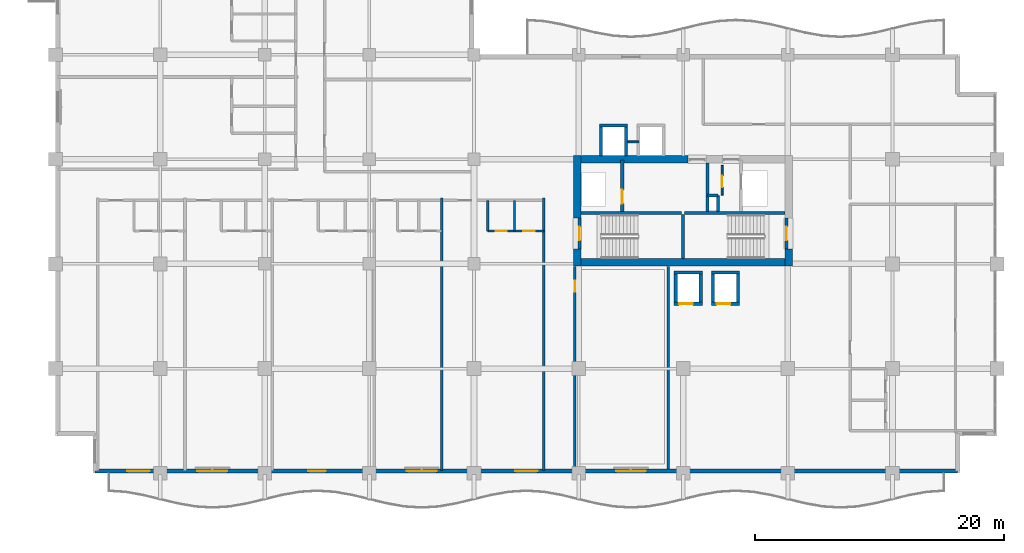
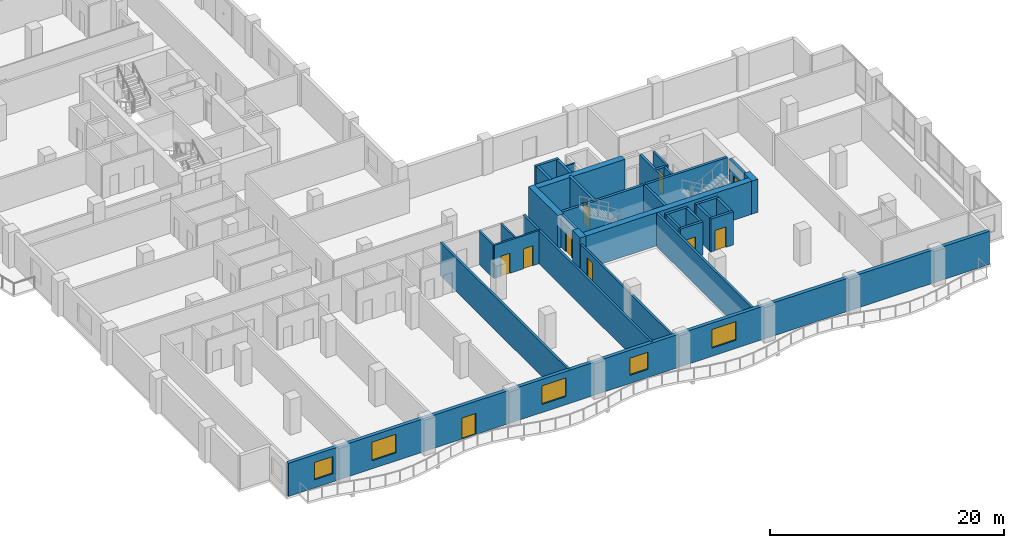
# One storey, part 10 of 21: 35 walls, 10 doors, 5 windows, 15 openings.
"""IFC4 building model written with IfcOpenShell, lengths in metres."""

from ifc_helpers import new_model, si_unit, direction, frame, frame_2d, origin, place, context, subcontext, project, spatial, rectangle, extrude, material, layer, layer_set, type_object, element, fill, save


model = new_model("IFC4")

# Units and contexts
model_context = context("Model", 3, precision=1e-05, world=origin(), true_north=direction((0.0, 1.0)))
body_context = subcontext(model_context, "Body", "Model", "MODEL_VIEW")
ifc_project = project(units=[si_unit("LENGTHUNIT", "METRE"), si_unit("AREAUNIT", "SQUARE_METRE"), si_unit("VOLUMEUNIT", "CUBIC_METRE"), si_unit("PLANEANGLEUNIT", "RADIAN"), si_unit("MASSUNIT", "GRAM", prefix="KILO")], contexts=[model_context])

# Site, building, storey
site_placement = place(None, origin())
site = spatial("IfcSite", under=ifc_project, at=site_placement, CompositionType="ELEMENT")
building_placement = place(site_placement, origin())
building = spatial("IfcBuilding", under=site, at=building_placement, Name="Koriwani Terraces Tower", CompositionType="ELEMENT")
storey_placement = place(building_placement, frame((0.0, 0.0, 197.60009765625)))
storey = spatial("IfcBuildingStorey", under=building, at=storey_placement, Name="L48", CompositionType="ELEMENT", Elevation=197.60009765625)

# Walls
ifc_material_1 = material(Name="Concrete C60/75", Category="concrete")
ifc_layer_1 = layer(ifc_material_1, 0.60009765625, Name="Concrete C60/75")
ifc_layer_set_1 = layer_set([ifc_layer_1], Name="Concrete C60/75")
wall_type_1 = type_object("IfcWallType", Name="WALL_CORE_RC_600", PredefinedType="SHEAR", material=ifc_layer_set_1)
wall_1_placement = place(storey_placement, frame((41.89990234375, 16.64990234375, 0.0), z_axis=(0.0, 0.0, 1.0), x_axis=(0.0, 1.0, 0.0)))
element("IfcWall", 1, at=wall_1_placement, inside=storey, type_object=wall_type_1, Name="L48 East Split Core Shear Wall W1", PredefinedType="SHEAR", context=body_context, shape_type="SweptSolid", body=[
    extrude(rectangle(XDim=1.35009765625, YDim=0.60009765625, at=frame_2d((0.675048828125, 0.0))), origin(), (0.0, 0.0, 1.0), 3.469970703125),
])
wall_2_placement = place(storey_placement, frame((41.89990234375, 20.5, 0.0), z_axis=(0.0, 0.0, 1.0), x_axis=(0.0, 1.0, 0.0)))
element("IfcWall", 2, at=wall_2_placement, inside=storey, type_object=wall_type_1, Name="L48 East Split Core Shear Wall W2", PredefinedType="SHEAR", context=body_context, shape_type="SweptSolid", body=[
    extrude(rectangle(XDim=5.0, YDim=0.60009765625, at=frame_2d((2.5, 0.0))), origin(), (0.0, 0.0, 1.0), 3.469970703125),
])
wall_3_placement = place(storey_placement, frame((58.85009765625, 16.64990234375, 0.0), z_axis=(0.0, 0.0, 1.0), x_axis=(0.0, 1.0, 0.0)))
element("IfcWall", 3, at=wall_3_placement, inside=storey, type_object=wall_type_1, Name="L48 East Split Core Shear Wall E1", PredefinedType="SHEAR", context=body_context, shape_type="SweptSolid", body=[
    extrude(rectangle(XDim=1.35009765625, YDim=0.60009765625, at=frame_2d((0.675048828125, 0.0))), origin(), (0.0, 0.0, 1.0), 3.469970703125),
])
wall_4_placement = place(storey_placement, frame((42.199951171875, 16.949951171875, 0.0), z_axis=(0.0, 0.0, 1.0), x_axis=(1.0, 0.0, 0.0)))
element("IfcWall", 4, at=wall_4_placement, inside=storey, type_object=wall_type_1, Name="L48 East Split Core Shear Wall S1", PredefinedType="SHEAR", context=body_context, shape_type="SweptSolid", body=[
    extrude(rectangle(XDim=16.35009765625, YDim=0.60009765625, at=frame_2d((8.175048828125, 0.0))), origin(), (0.0, 0.0, 1.0), 3.469970703125),
])
wall_5_placement = place(storey_placement, frame((42.199951171875, 25.199951171875, 0.0), z_axis=(0.0, 0.0, 1.0), x_axis=(1.0, 0.0, 0.0)))
element("IfcWall", 5, at=wall_5_placement, inside=storey, type_object=wall_type_1, Name="L48 East Split Core Shear Wall N1", PredefinedType="SHEAR", context=body_context, shape_type="SweptSolid", body=[
    extrude(rectangle(XDim=8.60009765625, YDim=0.60009765625, at=frame_2d((4.300048828125, 0.0))), origin(), (0.0, 0.0, 1.0), 3.469970703125),
])

# Wall, opening, door
ifc_material_2 = material(Name="Autoclaved Cellular Concrete Blockwork", Category="masonry")
ifc_layer_2 = layer(ifc_material_2, 0.199951171875, Name="Autoclaved Cellular Concrete Blockwork")
ifc_layer_set_2 = layer_set([ifc_layer_2], Name="Autoclaved Cellular Concrete Blockwork")
wall_type_2 = type_object("IfcWallType", Name="WALL_CORRIDOR_200", PredefinedType="PARTITIONING", material=ifc_layer_set_2)
wall_6_placement = place(storey_placement, frame((41.699951171875, 0.35009765625, 0.0), z_axis=(0.0, 0.0, 1.0), x_axis=(0.0, 1.0, 0.0)))
wall_6 = element("IfcWall", 6, at=wall_6_placement, inside=storey, type_object=wall_type_2, Name="L48 Interior Wall WREC-EW-L48", PredefinedType="PARTITIONING", context=body_context, shape_type="SweptSolid", body=[
    extrude(rectangle(XDim=16.25, YDim=0.199951171875, at=frame_2d((8.125, 0.0))), origin(), (0.0, 0.0, 1.0), 2.81982421875),
])
opening_1_placement = place(wall_6_placement, frame((14.199951171875, 0.0, 0.0)))
opening_1 = element("IfcOpeningElement", 7, at=opening_1_placement, cuts=wall_6, Name="Opening D-06", PredefinedType="OPENING", context=body_context, shape_type="SweptSolid", body=[
    extrude(rectangle(XDim=0.919921875, YDim=2.10009765625, at=frame_2d((0.4599609375, 1.050048828125))), frame((0.0, 0.10986328125, 0.0), z_axis=(0.0, -1.0, 0.0), x_axis=(1.0, 0.0, 0.0)), (0.0, 0.0, 1.0), 0.219970703125),
])
ifc_material_3 = material(Name="Architectural Oak Fire Door", Category="wood")
door_type_1 = type_object("IfcDoorType", Name="DOOR_ROOM_INT_920X2100", OperationType="NOTDEFINED", PredefinedType="DOOR", material=ifc_material_3)
door_1_placement = place(opening_1_placement, origin())
door_1 = element("IfcDoor", 8, at=door_1_placement, inside=storey, type_object=door_type_1, Name="L48 Resident Co-Working Study Door", OperationType="SINGLE_SWING_LEFT", OverallHeight=2.10009765625, OverallWidth=0.919921875, PredefinedType="DOOR", context=body_context, shape_type="SweptSolid", body=[
    extrude(rectangle(XDim=0.919921875, YDim=2.10009765625, at=frame_2d((0.4599609375, 1.050048828125))), frame((0.0, 0.02490234375, 0.0), z_axis=(0.0, -1.0, 0.0), x_axis=(1.0, 0.0, 0.0)), (0.0, 0.0, 1.0), 0.050048828125),
])
fill(opening_1, door_1)

# Walls
ifc_layer_3 = layer(ifc_material_2, 0.219970703125, Name="Autoclaved Cellular Concrete Blockwork")
ifc_layer_set_3 = layer_set([ifc_layer_3], Name="Autoclaved Cellular Concrete Blockwork")
wall_type_3 = type_object("IfcWallType", Name="WALL_DEMISING_220", PredefinedType="PARTITIONING", material=ifc_layer_set_3)
wall_7_placement = place(storey_placement, frame((49.199951171875, 0.35009765625, 0.0), z_axis=(0.0, 0.0, 1.0), x_axis=(0.0, 1.0, 0.0)))
element("IfcWall", 9, at=wall_7_placement, inside=storey, type_object=wall_type_3, Name="L48 Interior Wall WREC-EE-L48", PredefinedType="PARTITIONING", context=body_context, shape_type="SweptSolid", body=[
    extrude(rectangle(XDim=16.25, YDim=0.219970703125, at=frame_2d((8.125, 0.0))), origin(), (0.0, 0.0, 1.0), 3.469970703125),
])
for number, where, z_axis, x_axis, name in (
    (10, (31.0, 0.199951171875, 0.0), (0.0, 0.0, 1.0), (0.0, 1.0, 0.0), "L48 Interior Wall WRDEM-L48-SW-4"),
    (11, (39.199951171875, 0.199951171875, 0.0), (0.0, 0.0, 1.0), (0.0, 1.0, 0.0), "L48 Interior Wall WRDEME-L48-SW"),
):
    element("IfcWall", number, at=place(storey_placement, frame(where, z_axis=z_axis, x_axis=x_axis)), inside=storey, type_object=wall_type_3, Name=name, PredefinedType="PARTITIONING", context=body_context, shape_type="SweptSolid", body=[
        extrude(rectangle(XDim=21.880126953125, YDim=0.219970703125, at=frame_2d((10.93994140625, 0.0))), origin(), (0.0, 0.0, 1.0), 3.469970703125),
    ])

# Wall, openings, door, windows
ifc_material_4 = material(Name="Concrete C50/60", Category="concrete")
ifc_layer_4 = layer(ifc_material_4, 0.35009765625, Name="Concrete C50/60")
ifc_layer_set_4 = layer_set([ifc_layer_4], Name="Concrete C50/60")
wall_type_4 = type_object("IfcWallType", Name="WALL_EXT_BRUTALIST_350", PredefinedType="STANDARD", material=ifc_layer_set_4)
wall_8_placement = place(storey_placement, frame((72.425048828125, 0.175048828125, 0.0), z_axis=(0.0, 0.0, 1.0), x_axis=(-1.0, 0.0, 0.0)))
wall_8 = element("IfcWall", 12, at=wall_8_placement, inside=storey, type_object=wall_type_4, Name="L48 Fair-Faced Brutalist Exterior Wall (S)", PredefinedType="STANDARD", context=body_context, shape_type="SweptSolid", body=[
    extrude(rectangle(XDim=69.25, YDim=0.35009765625, at=frame_2d((34.625, 0.0))), origin(), (0.0, 0.0, 1.0), 3.469970703125),
])
opening_2_placement = place(wall_8_placement, frame((50.72509765625, 0.0, 0.0)))
opening_2 = element("IfcOpeningElement", 13, at=opening_2_placement, cuts=wall_8, Name="Opening D-09", PredefinedType="OPENING", context=body_context, shape_type="SweptSolid", body=[
    extrude(rectangle(XDim=1.39990234375, YDim=2.199951171875, at=frame_2d((0.699951171875, 1.10009765625))), frame((0.0, 0.18505859375, 0.0), z_axis=(0.0, -1.0, 0.0), x_axis=(1.0, 0.0, 0.0)), (0.0, 0.0, 1.0), 0.3701171875),
])
opening_3_placement = place(wall_8_placement, frame((58.625, 0.0, 0.85009765625)))
opening_3 = element("IfcOpeningElement", 14, at=opening_3_placement, cuts=wall_8, Name="Opening W-03", PredefinedType="OPENING", context=body_context, shape_type="SweptSolid", body=[
    extrude(rectangle(XDim=2.39990234375, YDim=1.949951171875, at=frame_2d((1.199951171875, 0.97509765625))), frame((0.0, 0.18505859375, 0.0), z_axis=(0.0, -1.0, 0.0), x_axis=(1.0, 0.0, 0.0)), (0.0, 0.0, 1.0), 0.3701171875),
])
opening_4_placement = place(wall_8_placement, frame((41.824951171875, 0.0, 0.85009765625)))
opening_4 = element("IfcOpeningElement", 15, at=opening_4_placement, cuts=wall_8, Name="Opening W-03", PredefinedType="OPENING", context=body_context, shape_type="SweptSolid", body=[
    extrude(rectangle(XDim=2.39990234375, YDim=1.949951171875, at=frame_2d((1.199951171875, 0.97509765625))), frame((0.0, 0.18505859375, 0.0), z_axis=(0.0, -1.0, 0.0), x_axis=(1.0, 0.0, 0.0)), (0.0, 0.0, 1.0), 0.3701171875),
])
opening_5_placement = place(wall_8_placement, frame((33.72509765625, 0.0, 0.85009765625)))
opening_5 = element("IfcOpeningElement", 16, at=opening_5_placement, cuts=wall_8, Name="Opening W-04", PredefinedType="OPENING", context=body_context, shape_type="SweptSolid", body=[
    extrude(rectangle(XDim=1.800048828125, YDim=1.800048828125, at=frame_2d((0.89990234375, 0.89990234375))), frame((0.0, 0.18505859375, 0.0), z_axis=(0.0, -1.0, 0.0), x_axis=(1.0, 0.0, 0.0)), (0.0, 0.0, 1.0), 0.3701171875),
])
opening_6_placement = place(wall_8_placement, frame((25.02490234375, 0.0, 0.85009765625)))
opening_6 = element("IfcOpeningElement", 17, at=opening_6_placement, cuts=wall_8, Name="Opening W-03", PredefinedType="OPENING", context=body_context, shape_type="SweptSolid", body=[
    extrude(rectangle(XDim=2.39990234375, YDim=1.949951171875, at=frame_2d((1.199951171875, 0.97509765625))), frame((0.0, 0.18505859375, 0.0), z_axis=(0.0, -1.0, 0.0), x_axis=(1.0, 0.0, 0.0)), (0.0, 0.0, 1.0), 0.3701171875),
])
opening_7_placement = place(wall_8_placement, frame((64.875, 0.0, 0.85009765625)))
opening_7 = element("IfcOpeningElement", 18, at=opening_7_placement, cuts=wall_8, Name="Opening W-04", PredefinedType="OPENING", context=body_context, shape_type="SweptSolid", body=[
    extrude(rectangle(XDim=1.800048828125, YDim=1.800048828125, at=frame_2d((0.89990234375, 0.89990234375))), frame((0.0, 0.18505859375, 0.0), z_axis=(0.0, -1.0, 0.0), x_axis=(1.0, 0.0, 0.0)), (0.0, 0.0, 1.0), 0.3701171875),
])
ifc_material_5 = material(Name="Anodised Bronze Aluminium", Category="aluminium")
door_type_2 = type_object("IfcDoorType", Name="DOOR_BALCONY_GLAZED_1400X2200", OperationType="NOTDEFINED", PredefinedType="DOOR", material=ifc_material_5)
door_2_placement = place(opening_2_placement, origin())
door_2 = element("IfcDoor", 19, at=door_2_placement, inside=storey, type_object=door_type_2, Name="L48 South Balcony Glazed Door", OperationType="SINGLE_SWING_LEFT", OverallHeight=2.199951171875, OverallWidth=1.39990234375, PredefinedType="DOOR", context=body_context, shape_type="SweptSolid", body=[
    extrude(rectangle(XDim=1.39990234375, YDim=2.199951171875, at=frame_2d((0.699951171875, 1.10009765625))), frame((0.0, 0.02490234375, 0.0), z_axis=(0.0, -1.0, 0.0), x_axis=(1.0, 0.0, 0.0)), (0.0, 0.0, 1.0), 0.050048828125),
])
fill(opening_2, door_2)
ifc_material_6 = material(Name="Tempered Laminated Low-E Glass", Category="glass")
window_type_1 = type_object("IfcWindowType", Name="WIN_RES_BED_1800X1800", PartitioningType="DOUBLE_PANEL_VERTICAL", PredefinedType="WINDOW", material=ifc_material_6)
window_1_placement = place(opening_5_placement, origin())
window_1 = element("IfcWindow", 20, at=window_1_placement, inside=storey, type_object=window_type_1, Name="L48 Exterior Window (S-12)", OverallHeight=1.800048828125, OverallWidth=1.800048828125, PartitioningType="SINGLE_PANEL", PredefinedType="WINDOW", context=body_context, shape_type="SweptSolid", body=[
    extrude(rectangle(XDim=1.800048828125, YDim=1.800048828125, at=frame_2d((0.89990234375, 0.89990234375))), frame((0.0, 0.030029296875, 0.0), z_axis=(0.0, -1.0, 0.0), x_axis=(1.0, 0.0, 0.0)), (0.0, 0.0, 1.0), 0.06005859375),
])
fill(opening_5, window_1)
window_2_placement = place(opening_7_placement, origin())
window_2 = element("IfcWindow", 21, at=window_2_placement, inside=storey, type_object=window_type_1, Name="L48 Exterior Window (S-R33)", OverallHeight=1.800048828125, OverallWidth=1.800048828125, PartitioningType="SINGLE_PANEL", PredefinedType="WINDOW", context=body_context, shape_type="SweptSolid", body=[
    extrude(rectangle(XDim=1.800048828125, YDim=1.800048828125, at=frame_2d((0.89990234375, 0.89990234375))), frame((0.0, 0.030029296875, 0.0), z_axis=(0.0, -1.0, 0.0), x_axis=(1.0, 0.0, 0.0)), (0.0, 0.0, 1.0), 0.06005859375),
])
fill(opening_7, window_2)
window_type_2 = type_object("IfcWindowType", Name="WIN_RES_LIVING_2400X1950", PartitioningType="DOUBLE_PANEL_VERTICAL", PredefinedType="WINDOW", material=ifc_material_6)
window_3_placement = place(opening_3_placement, origin())
window_3 = element("IfcWindow", 22, at=window_3_placement, inside=storey, type_object=window_type_2, Name="L48 Exterior Window (S-3)", OverallHeight=1.949951171875, OverallWidth=2.39990234375, PartitioningType="SINGLE_PANEL", PredefinedType="WINDOW", context=body_context, shape_type="SweptSolid", body=[
    extrude(rectangle(XDim=2.39990234375, YDim=1.949951171875, at=frame_2d((1.199951171875, 0.97509765625))), frame((0.0, 0.030029296875, 0.0), z_axis=(0.0, -1.0, 0.0), x_axis=(1.0, 0.0, 0.0)), (0.0, 0.0, 1.0), 0.06005859375),
])
fill(opening_3, window_3)
window_4_placement = place(opening_4_placement, origin())
window_4 = element("IfcWindow", 23, at=window_4_placement, inside=storey, type_object=window_type_2, Name="L48 Exterior Window (S-9)", OverallHeight=1.949951171875, OverallWidth=2.39990234375, PartitioningType="SINGLE_PANEL", PredefinedType="WINDOW", context=body_context, shape_type="SweptSolid", body=[
    extrude(rectangle(XDim=2.39990234375, YDim=1.949951171875, at=frame_2d((1.199951171875, 0.97509765625))), frame((0.0, 0.030029296875, 0.0), z_axis=(0.0, -1.0, 0.0), x_axis=(1.0, 0.0, 0.0)), (0.0, 0.0, 1.0), 0.06005859375),
])
fill(opening_4, window_4)
window_5_placement = place(opening_6_placement, origin())
window_5 = element("IfcWindow", 24, at=window_5_placement, inside=storey, type_object=window_type_2, Name="L48 Exterior Window (S-15)", OverallHeight=1.949951171875, OverallWidth=2.39990234375, PartitioningType="SINGLE_PANEL", PredefinedType="WINDOW", context=body_context, shape_type="SweptSolid", body=[
    extrude(rectangle(XDim=2.39990234375, YDim=1.949951171875, at=frame_2d((1.199951171875, 0.97509765625))), frame((0.0, 0.030029296875, 0.0), z_axis=(0.0, -1.0, 0.0), x_axis=(1.0, 0.0, 0.0)), (0.0, 0.0, 1.0), 0.06005859375),
])
fill(opening_6, window_5)

# Wall, openings, doors
ifc_material_7 = material(Name="Fire-Rated Acoustic Gypsum Partition", Category="masonry")
ifc_layer_5 = layer(ifc_material_7, 0.179931640625, Name="Fire-Rated Acoustic Gypsum Partition")
ifc_layer_set_5 = layer_set([ifc_layer_5], Name="Fire-Rated Acoustic Gypsum Partition")
wall_type_5 = type_object("IfcWallType", Name="WALL_PLUMBING_180", PredefinedType="PLUMBINGWALL", material=ifc_layer_set_5)
wall_9_placement = place(storey_placement, frame((34.699951171875, 19.449951171875, 0.0), z_axis=(0.0, 0.0, 1.0), x_axis=(1.0, 0.0, 0.0)))
wall_9 = element("IfcWall", 25, at=wall_9_placement, inside=storey, type_object=wall_type_5, Name="L48 Interior Wall WRSVC-L48-SW-4", PredefinedType="PLUMBINGWALL", context=body_context, shape_type="SweptSolid", body=[
    extrude(rectangle(XDim=4.5, YDim=0.179931640625, at=frame_2d((2.25, 0.0))), origin(), (0.0, 0.0, 1.0), 3.469970703125),
])
opening_8_placement = place(wall_9_placement, frame((0.6298828125, 0.0, 0.0)))
opening_8 = element("IfcOpeningElement", 26, at=opening_8_placement, cuts=wall_9, Name="Opening D-07", PredefinedType="OPENING", context=body_context, shape_type="SweptSolid", body=[
    extrude(rectangle(XDim=0.89990234375, YDim=2.10009765625, at=frame_2d((0.449951171875, 1.050048828125))), frame((0.0, 0.10009765625, 0.0), z_axis=(0.0, -1.0, 0.0), x_axis=(1.0, 0.0, 0.0)), (0.0, 0.0, 1.0), 0.199951171875),
])
opening_9_placement = place(wall_9_placement, frame((2.8701171875, 0.0, 0.0)))
opening_9 = element("IfcOpeningElement", 27, at=opening_9_placement, cuts=wall_9, Name="Opening D-06", PredefinedType="OPENING", context=body_context, shape_type="SweptSolid", body=[
    extrude(rectangle(XDim=0.919921875, YDim=2.10009765625, at=frame_2d((0.4599609375, 1.050048828125))), frame((0.0, 0.10009765625, 0.0), z_axis=(0.0, -1.0, 0.0), x_axis=(1.0, 0.0, 0.0)), (0.0, 0.0, 1.0), 0.199951171875),
])
door_type_3 = type_object("IfcDoorType", Name="DOOR_BATH_INT_900X2100", OperationType="NOTDEFINED", PredefinedType="DOOR", material=ifc_material_3)
door_3_placement = place(opening_8_placement, origin())
door_3 = element("IfcDoor", 28, at=door_3_placement, inside=storey, type_object=door_type_3, Name="Apartment 48SW5 Bathroom Door", OperationType="SINGLE_SWING_LEFT", OverallHeight=2.10009765625, OverallWidth=0.89990234375, PredefinedType="DOOR", context=body_context, shape_type="SweptSolid", body=[
    extrude(rectangle(XDim=0.89990234375, YDim=2.10009765625, at=frame_2d((0.449951171875, 1.050048828125))), frame((0.0, 0.02490234375, 0.0), z_axis=(0.0, -1.0, 0.0), x_axis=(1.0, 0.0, 0.0)), (0.0, 0.0, 1.0), 0.050048828125),
])
fill(opening_8, door_3)
door_4_placement = place(opening_9_placement, origin())
door_4 = element("IfcDoor", 29, at=door_4_placement, inside=storey, type_object=door_type_1, Name="Apartment 48SW5 Kitchen Door", OperationType="SINGLE_SWING_RIGHT", OverallHeight=2.10009765625, OverallWidth=0.919921875, PredefinedType="DOOR", context=body_context, shape_type="SweptSolid", body=[
    extrude(rectangle(XDim=0.919921875, YDim=2.10009765625, at=frame_2d((0.4599609375, 1.050048828125))), frame((0.0, 0.02490234375, 0.0), z_axis=(0.0, -1.0, 0.0), x_axis=(1.0, 0.0, 0.0)), (0.0, 0.0, 1.0), 0.050048828125),
])
fill(opening_9, door_4)

# Walls
for number, where, z_axis, x_axis, name in (
    (30, (34.699951171875, 19.449951171875, 0.0), (0.0, 0.0, 1.0), (0.0, 1.0, 0.0), "L48 Interior Wall WRSVCS-L48-SW-4"),
    (31, (36.860107421875, 19.449951171875, 0.0), (0.0, 0.0, 1.0), (0.0, 1.0, 0.0), "L48 Interior Wall WRSVCM-L48-SW-4"),
):
    element("IfcWall", number, at=place(storey_placement, frame(where, z_axis=z_axis, x_axis=x_axis)), inside=storey, type_object=wall_type_5, Name=name, PredefinedType="PLUMBINGWALL", context=body_context, shape_type="SweptSolid", body=[
        extrude(rectangle(XDim=2.449951171875, YDim=0.179931640625, at=frame_2d((1.22509765625, 0.0))), origin(), (0.0, 0.0, 1.0), 3.469970703125),
    ])
ifc_material_8 = material(Name="Concrete C40/50", Category="concrete")
ifc_layer_6 = layer(ifc_material_8, 0.25, Name="Concrete C40/50")
ifc_layer_set_6 = layer_set([ifc_layer_6], Name="Concrete C40/50")
wall_type_6 = type_object("IfcWallType", Name="WALL_SHAFT_RATED_250", PredefinedType="SOLIDWALL", material=ifc_layer_set_6)
for number, where, z_axis, x_axis, name in (
    (32, (42.199951171875, 20.875, 0.0), (0.0, 0.0, 1.0), (1.0, 0.0, 0.0), "L48 East Split Core Web Wall MID1"),
    (33, (50.5, 20.875, 0.0), (0.0, 0.0, 1.0), (1.0, 0.0, 0.0), "L48 East Split Core Web Wall MID2"),
):
    element("IfcWall", number, at=place(storey_placement, frame(where, z_axis=z_axis, x_axis=x_axis)), inside=storey, type_object=wall_type_6, Name=name, PredefinedType="SOLIDWALL", context=body_context, shape_type="SweptSolid", body=[
        extrude(rectangle(XDim=8.050048828125, YDim=0.25, at=frame_2d((4.02490234375, 0.0))), origin(), (0.0, 0.0, 1.0), 3.469970703125),
    ])
wall_10_placement = place(storey_placement, frame((50.375, 17.25, 0.0), z_axis=(0.0, 0.0, 1.0), x_axis=(0.0, 1.0, 0.0)))
element("IfcWall", 34, at=wall_10_placement, inside=storey, type_object=wall_type_6, Name="L48 East Split Core Stair Dividing Wall", PredefinedType="SOLIDWALL", context=body_context, shape_type="SweptSolid", body=[
    extrude(rectangle(XDim=3.5, YDim=0.25, at=frame_2d((1.75, 0.0))), origin(), (0.0, 0.0, 1.0), 3.469970703125),
])

# Wall, opening, door
wall_11_placement = place(storey_placement, frame((42.074951171875, 18.0, 0.0), z_axis=(0.0, 0.0, 1.0), x_axis=(0.0, 1.0, 0.0)))
wall_11 = element("IfcWall", 35, at=wall_11_placement, inside=storey, type_object=wall_type_6, Name="L48 Interior Wall WIN-CE-L48-STW", PredefinedType="SOLIDWALL", context=body_context, shape_type="SweptSolid", body=[
    extrude(rectangle(XDim=2.5, YDim=0.25, at=frame_2d((1.25, 0.0))), origin(), (0.0, 0.0, 1.0), 3.469970703125),
])
opening_10_placement = place(wall_11_placement, frame((0.699951171875, 0.0, 0.0)))
opening_10 = element("IfcOpeningElement", 36, at=opening_10_placement, cuts=wall_11, Name="Opening D-03", PredefinedType="OPENING", context=body_context, shape_type="SweptSolid", body=[
    extrude(rectangle(XDim=1.10009765625, YDim=2.14990234375, at=frame_2d((0.550048828125, 1.074951171875))), frame((0.0, 0.135009765625, 0.0), z_axis=(0.0, -1.0, 0.0), x_axis=(1.0, 0.0, 0.0)), (0.0, 0.0, 1.0), 0.27001953125),
])
ifc_material_9 = material(Name="Steel ASTM A572 Grade 50", Category="steel")
door_type_4 = type_object("IfcDoorType", Name="DOOR_STAIR_FIRE_1100X2150", OperationType="NOTDEFINED", PredefinedType="DOOR", material=ifc_material_9)
door_5_placement = place(opening_10_placement, origin())
door_5 = element("IfcDoor", 37, at=door_5_placement, inside=storey, type_object=door_type_4, Name="L48 Exit Stair ST-E1 Door", OperationType="SINGLE_SWING_LEFT", OverallHeight=2.14990234375, OverallWidth=1.10009765625, PredefinedType="DOOR", context=body_context, shape_type="SweptSolid", body=[
    extrude(rectangle(XDim=1.10009765625, YDim=2.14990234375, at=frame_2d((0.550048828125, 1.074951171875))), frame((0.0, 0.02490234375, 0.0), z_axis=(0.0, -1.0, 0.0), x_axis=(1.0, 0.0, 0.0)), (0.0, 0.0, 1.0), 0.050048828125),
])
fill(opening_10, door_5)

wall_12_placement = place(storey_placement, frame((58.675048828125, 18.0, 0.0), z_axis=(0.0, 0.0, 1.0), x_axis=(0.0, 1.0, 0.0)))
wall_12 = element("IfcWall", 38, at=wall_12_placement, inside=storey, type_object=wall_type_6, Name="L48 Interior Wall WIN-CE-L48-STE", PredefinedType="SOLIDWALL", context=body_context, shape_type="SweptSolid", body=[
    extrude(rectangle(XDim=2.5, YDim=0.25, at=frame_2d((1.25, 0.0))), origin(), (0.0, 0.0, 1.0), 3.469970703125),
])
opening_11_placement = place(wall_12_placement, frame((0.699951171875, 0.0, 0.0)))
opening_11 = element("IfcOpeningElement", 39, at=opening_11_placement, cuts=wall_12, Name="Opening D-03", PredefinedType="OPENING", context=body_context, shape_type="SweptSolid", body=[
    extrude(rectangle(XDim=1.10009765625, YDim=2.14990234375, at=frame_2d((0.550048828125, 1.074951171875))), frame((0.0, 0.135009765625, 0.0), z_axis=(0.0, -1.0, 0.0), x_axis=(1.0, 0.0, 0.0)), (0.0, 0.0, 1.0), 0.27001953125),
])
door_6_placement = place(opening_11_placement, origin())
door_6 = element("IfcDoor", 40, at=door_6_placement, inside=storey, type_object=door_type_4, Name="L48 Exit Stair ST-E2 Door", OperationType="SINGLE_SWING_RIGHT", OverallHeight=2.14990234375, OverallWidth=1.10009765625, PredefinedType="DOOR", context=body_context, shape_type="SweptSolid", body=[
    extrude(rectangle(XDim=1.10009765625, YDim=2.14990234375, at=frame_2d((0.550048828125, 1.074951171875))), frame((0.0, 0.02490234375, 0.0), z_axis=(0.0, -1.0, 0.0), x_axis=(1.0, 0.0, 0.0)), (0.0, 0.0, 1.0), 0.050048828125),
])
fill(opening_11, door_6)

wall_13_placement = place(storey_placement, frame((45.5, 21.0, 0.0), z_axis=(0.0, 0.0, 1.0), x_axis=(0.0, 1.0, 0.0)))
wall_13 = element("IfcWall", 41, at=wall_13_placement, inside=storey, type_object=wall_type_6, Name="L48 Interior Wall WIN-CE-L48-FE", PredefinedType="SOLIDWALL", context=body_context, shape_type="SweptSolid", body=[
    extrude(rectangle(XDim=4.14990234375, YDim=0.25, at=frame_2d((2.074951171875, 0.0))), origin(), (0.0, 0.0, 1.0), 3.469970703125),
])
opening_12_placement = place(wall_13_placement, frame((0.64990234375, 0.0, 0.0)))
opening_12 = element("IfcOpeningElement", 42, at=opening_12_placement, cuts=wall_13, Name="Opening LD-01", PredefinedType="OPENING", context=body_context, shape_type="SweptSolid", body=[
    extrude(rectangle(XDim=1.10009765625, YDim=2.14990234375, at=frame_2d((0.550048828125, 1.074951171875))), frame((0.0, 0.135009765625, 0.0), z_axis=(0.0, -1.0, 0.0), x_axis=(1.0, 0.0, 0.0)), (0.0, 0.0, 1.0), 0.27001953125),
])
door_type_5 = type_object("IfcDoorType", Name="DOOR_LIFT_LANDING_1100X2200", OperationType="NOTDEFINED", PredefinedType="DOOR", material=ifc_material_9)
door_7_placement = place(opening_12_placement, origin())
door_7 = element("IfcDoor", 43, at=door_7_placement, inside=storey, type_object=door_type_5, Name="L48 Firefighting Lift FE-02 Landing Door", OperationType="SLIDING_TO_LEFT", OverallHeight=2.14990234375, OverallWidth=1.10009765625, PredefinedType="DOOR", context=body_context, shape_type="SweptSolid", body=[
    extrude(rectangle(XDim=1.10009765625, YDim=2.14990234375, at=frame_2d((0.550048828125, 1.074951171875))), frame((0.0, 0.02490234375, 0.0), z_axis=(0.0, -1.0, 0.0), x_axis=(1.0, 0.0, 0.0)), (0.0, 0.0, 1.0), 0.050048828125),
])
fill(opening_12, door_7)

# Walls
wall_14_placement = place(storey_placement, frame((52.340087890625, 21.0, 0.0), z_axis=(0.0, 0.0, 1.0), x_axis=(0.0, 1.0, 0.0)))
element("IfcWall", 44, at=wall_14_placement, inside=storey, type_object=wall_type_6, Name="L48 Interior Wall WIN-CE-L48-FFE", PredefinedType="SOLIDWALL", context=body_context, shape_type="SweptSolid", body=[
    extrude(rectangle(XDim=3.89990234375, YDim=0.25, at=frame_2d((1.949951171875, 0.0))), origin(), (0.0, 0.0, 1.0), 3.469970703125),
])
wall_15_placement = place(storey_placement, frame((53.199951171875, 21.0, 0.0), z_axis=(0.0, 0.0, 1.0), x_axis=(0.0, 1.0, 0.0)))
element("IfcWall", 45, at=wall_15_placement, inside=storey, type_object=wall_type_6, Name="L48 Interior Wall WIN-CE-L48-RS1", PredefinedType="SOLIDWALL", context=body_context, shape_type="SweptSolid", body=[
    extrude(rectangle(XDim=1.300048828125, YDim=0.25, at=frame_2d((0.64990234375, 0.0))), origin(), (0.0, 0.0, 1.0), 3.469970703125),
])
wall_16_placement = place(storey_placement, frame((52.360107421875, 22.300048828125, 0.0), z_axis=(0.0, 0.0, 1.0), x_axis=(1.0, 0.0, 0.0)))
element("IfcWall", 46, at=wall_16_placement, inside=storey, type_object=wall_type_6, Name="L48 Interior Wall WIN-CE-L48-RS2", PredefinedType="SOLIDWALL", context=body_context, shape_type="SweptSolid", body=[
    extrude(rectangle(XDim=0.83984375, YDim=0.25, at=frame_2d((0.419921875, 0.0))), origin(), (0.0, 0.0, 1.0), 3.469970703125),
])

# Wall, opening, door
wall_17_placement = place(storey_placement, frame((49.675048828125, 13.60009765625, 0.0), z_axis=(0.0, 0.0, 1.0), x_axis=(1.0, 0.0, 0.0)))
wall_17 = element("IfcWall", 47, at=wall_17_placement, inside=storey, type_object=wall_type_6, Name="L48 Interior Wall WIN-LF-PE-M3-L48-F", PredefinedType="SOLIDWALL", context=body_context, shape_type="SweptSolid", body=[
    extrude(rectangle(XDim=2.25, YDim=0.25, at=frame_2d((1.125, 0.0))), origin(), (0.0, 0.0, 1.0), 3.469970703125),
])
opening_13_placement = place(wall_17_placement, frame((0.39990234375, 0.0, 0.0)))
opening_13 = element("IfcOpeningElement", 48, at=opening_13_placement, cuts=wall_17, Name="Opening LD-01", PredefinedType="OPENING", context=body_context, shape_type="SweptSolid", body=[
    extrude(rectangle(XDim=1.10009765625, YDim=2.14990234375, at=frame_2d((0.550048828125, 1.074951171875))), frame((0.0, 0.135009765625, 0.0), z_axis=(0.0, -1.0, 0.0), x_axis=(1.0, 0.0, 0.0)), (0.0, 0.0, 1.0), 0.27001953125),
])
door_8_placement = place(opening_13_placement, origin())
door_8 = element("IfcDoor", 49, at=door_8_placement, inside=storey, type_object=door_type_5, Name="L48 Passenger Lift PE-M3 Landing Door", OperationType="SLIDING_TO_LEFT", OverallHeight=2.14990234375, OverallWidth=1.10009765625, PredefinedType="DOOR", context=body_context, shape_type="SweptSolid", body=[
    extrude(rectangle(XDim=1.10009765625, YDim=2.14990234375, at=frame_2d((0.550048828125, 1.074951171875))), frame((0.0, 0.02490234375, 0.0), z_axis=(0.0, -1.0, 0.0), x_axis=(1.0, 0.0, 0.0)), (0.0, 0.0, 1.0), 0.050048828125),
])
fill(opening_13, door_8)

# Walls
for number, where, z_axis, x_axis, name in (
    (50, (49.675048828125, 16.10009765625, 0.0), (0.0, 0.0, 1.0), (1.0, 0.0, 0.0), "L48 Interior Wall WIN-LF-PE-M3-L48-B"),
    (51, (49.800048828125, 13.72509765625, 0.0), (0.0, 0.0, 1.0), (0.0, 1.0, 0.0), "L48 Interior Wall WIN-LF-PE-M3-L48-W"),
    (52, (51.800048828125, 13.72509765625, 0.0), (0.0, 0.0, 1.0), (0.0, 1.0, 0.0), "L48 Interior Wall WIN-LF-PE-M3-L48-E"),
):
    element("IfcWall", number, at=place(storey_placement, frame(where, z_axis=z_axis, x_axis=x_axis)), inside=storey, type_object=wall_type_6, Name=name, PredefinedType="SOLIDWALL", context=body_context, shape_type="SweptSolid", body=[
        extrude(rectangle(XDim=2.25, YDim=0.25, at=frame_2d((1.125, 0.0))), origin(), (0.0, 0.0, 1.0), 3.469970703125),
    ])

# Wall, opening, door
wall_18_placement = place(storey_placement, frame((52.675048828125, 13.60009765625, 0.0), z_axis=(0.0, 0.0, 1.0), x_axis=(1.0, 0.0, 0.0)))
wall_18 = element("IfcWall", 53, at=wall_18_placement, inside=storey, type_object=wall_type_6, Name="L48 Interior Wall WIN-LF-PE-M4-L48-F", PredefinedType="SOLIDWALL", context=body_context, shape_type="SweptSolid", body=[
    extrude(rectangle(XDim=2.25, YDim=0.25, at=frame_2d((1.125, 0.0))), origin(), (0.0, 0.0, 1.0), 3.469970703125),
])
opening_14_placement = place(wall_18_placement, frame((0.39990234375, 0.0, 0.0)))
opening_14 = element("IfcOpeningElement", 54, at=opening_14_placement, cuts=wall_18, Name="Opening LD-01", PredefinedType="OPENING", context=body_context, shape_type="SweptSolid", body=[
    extrude(rectangle(XDim=1.10009765625, YDim=2.14990234375, at=frame_2d((0.550048828125, 1.074951171875))), frame((0.0, 0.135009765625, 0.0), z_axis=(0.0, -1.0, 0.0), x_axis=(1.0, 0.0, 0.0)), (0.0, 0.0, 1.0), 0.27001953125),
])
door_9_placement = place(opening_14_placement, origin())
door_9 = element("IfcDoor", 55, at=door_9_placement, inside=storey, type_object=door_type_5, Name="L48 Passenger Lift PE-M4 Landing Door", OperationType="SLIDING_TO_LEFT", OverallHeight=2.14990234375, OverallWidth=1.10009765625, PredefinedType="DOOR", context=body_context, shape_type="SweptSolid", body=[
    extrude(rectangle(XDim=1.10009765625, YDim=2.14990234375, at=frame_2d((0.550048828125, 1.074951171875))), frame((0.0, 0.02490234375, 0.0), z_axis=(0.0, -1.0, 0.0), x_axis=(1.0, 0.0, 0.0)), (0.0, 0.0, 1.0), 0.050048828125),
])
fill(opening_14, door_9)

# Walls
for number, where, z_axis, x_axis, name in (
    (56, (52.675048828125, 16.10009765625, 0.0), (0.0, 0.0, 1.0), (1.0, 0.0, 0.0), "L48 Interior Wall WIN-LF-PE-M4-L48-B"),
    (57, (52.800048828125, 13.72509765625, 0.0), (0.0, 0.0, 1.0), (0.0, 1.0, 0.0), "L48 Interior Wall WIN-LF-PE-M4-L48-W"),
    (58, (54.800048828125, 13.72509765625, 0.0), (0.0, 0.0, 1.0), (0.0, 1.0, 0.0), "L48 Interior Wall WIN-LF-PE-M4-L48-E"),
    (59, (43.675048828125, 27.89990234375, 0.0), (0.0, 0.0, 1.0), (1.0, 0.0, 0.0), "L48 Interior Wall WIN-LF-PE-H3-L48-F"),
):
    element("IfcWall", number, at=place(storey_placement, frame(where, z_axis=z_axis, x_axis=x_axis)), inside=storey, type_object=wall_type_6, Name=name, PredefinedType="SOLIDWALL", context=body_context, shape_type="SweptSolid", body=[
        extrude(rectangle(XDim=2.25, YDim=0.25, at=frame_2d((1.125, 0.0))), origin(), (0.0, 0.0, 1.0), 3.469970703125),
    ])
for number, where, z_axis, x_axis, name in (
    (60, (43.800048828125, 25.449951171875, 0.0), (0.0, 0.0, 1.0), (0.0, 1.0, 0.0), "L48 Interior Wall WIN-LF-PE-H3-L48-W"),
    (61, (45.800048828125, 25.449951171875, 0.0), (0.0, 0.0, 1.0), (0.0, 1.0, 0.0), "L48 Interior Wall WIN-LF-PE-H3-L48-E"),
):
    element("IfcWall", number, at=place(storey_placement, frame(where, z_axis=z_axis, x_axis=x_axis)), inside=storey, type_object=wall_type_6, Name=name, PredefinedType="SOLIDWALL", context=body_context, shape_type="SweptSolid", body=[
        extrude(rectangle(XDim=2.324951171875, YDim=0.25, at=frame_2d((1.16259765625, 0.0))), origin(), (0.0, 0.0, 1.0), 3.469970703125),
    ])

# Wall, opening, door
ifc_layer_7 = layer(ifc_material_7, 0.159912109375, Name="Fire-Rated Acoustic Gypsum Partition")
ifc_layer_set_7 = layer_set([ifc_layer_7], Name="Fire-Rated Acoustic Gypsum Partition")
wall_type_7 = type_object("IfcWallType", Name="WALL_SUITE_160", PredefinedType="PARTITIONING", material=ifc_layer_set_7)
wall_19_placement = place(storey_placement, frame((53.52001953125, 22.320068359375, 0.0), z_axis=(0.0, 0.0, 1.0), x_axis=(0.0, 1.0, 0.0)))
wall_19 = element("IfcWall", 62, at=wall_19_placement, inside=storey, type_object=wall_type_7, Name="L48 Interior Wall WIN-CE-L48-SV0", PredefinedType="PARTITIONING", context=body_context, shape_type="SweptSolid", body=[
    extrude(rectangle(XDim=2.39990234375, YDim=0.159912109375, at=frame_2d((1.199951171875, 0.0))), origin(), (0.0, 0.0, 1.0), 3.469970703125),
])
opening_15_placement = place(wall_19_placement, frame((0.64990234375, 0.0, 0.0)))
opening_15 = element("IfcOpeningElement", 63, at=opening_15_placement, cuts=wall_19, Name="Opening D-07", PredefinedType="OPENING", context=body_context, shape_type="SweptSolid", body=[
    extrude(rectangle(XDim=0.89990234375, YDim=2.10009765625, at=frame_2d((0.449951171875, 1.050048828125))), frame((0.0, 0.08984375, 0.0), z_axis=(0.0, -1.0, 0.0), x_axis=(1.0, 0.0, 0.0)), (0.0, 0.0, 1.0), 0.179931640625),
])
door_10_placement = place(opening_15_placement, origin())
door_10 = element("IfcDoor", 64, at=door_10_placement, inside=storey, type_object=door_type_3, Name="L48 East Electrical Switch Room Door", OperationType="SINGLE_SWING_LEFT", OverallHeight=2.10009765625, OverallWidth=0.89990234375, PredefinedType="DOOR", context=body_context, shape_type="SweptSolid", body=[
    extrude(rectangle(XDim=0.89990234375, YDim=2.10009765625, at=frame_2d((0.449951171875, 1.050048828125))), frame((0.0, 0.02490234375, 0.0), z_axis=(0.0, -1.0, 0.0), x_axis=(1.0, 0.0, 0.0)), (0.0, 0.0, 1.0), 0.050048828125),
])
fill(opening_15, door_10)

# Wall
wall_20_placement = place(storey_placement, frame((45.9599609375, 26.60009765625, 0.0), z_axis=(0.0, 0.0, 1.0), x_axis=(1.0, 0.0, 0.0)))
element("IfcWall", 65, at=wall_20_placement, inside=storey, type_object=wall_type_7, Name="L48 Interior Wall WIN-LF-PEH34-MID-L48", PredefinedType="PARTITIONING", context=body_context, shape_type="SweptSolid", body=[
    extrude(rectangle(XDim=0.880126953125, YDim=0.159912109375, at=frame_2d((0.43994140625, 0.0))), origin(), (0.0, 0.0, 1.0), 3.469970703125),
])

save(model, "model.ifc")
